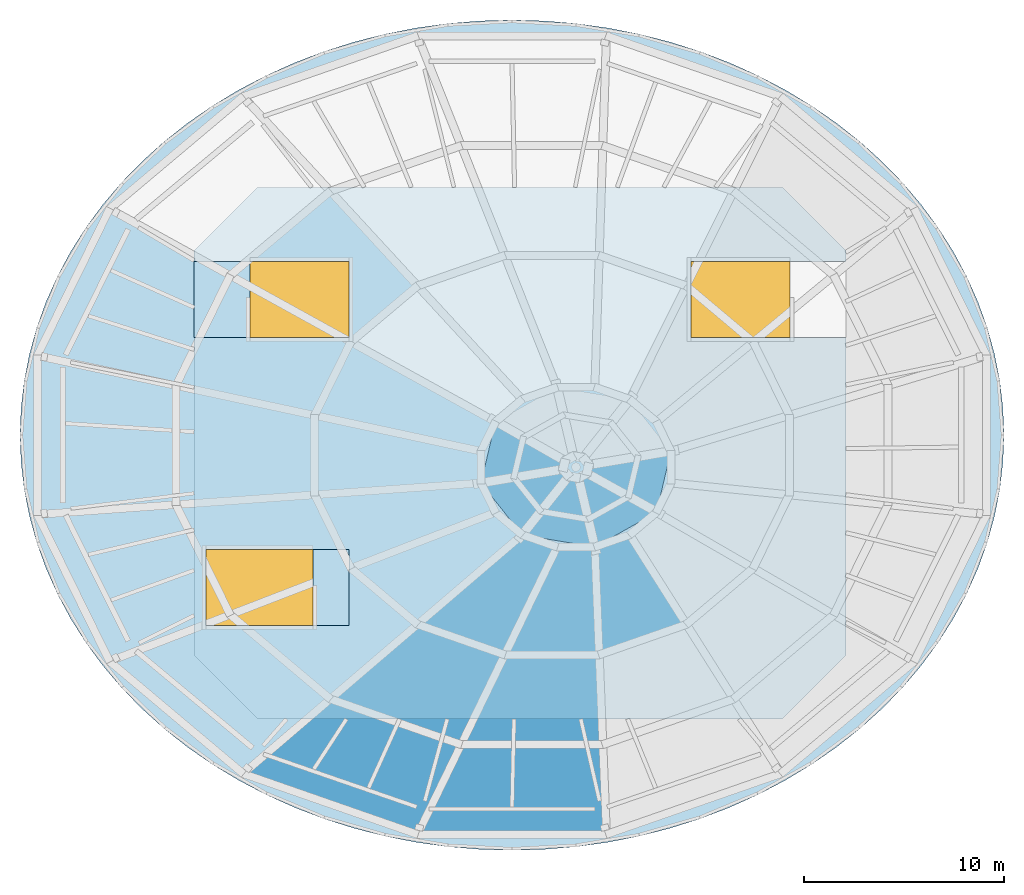
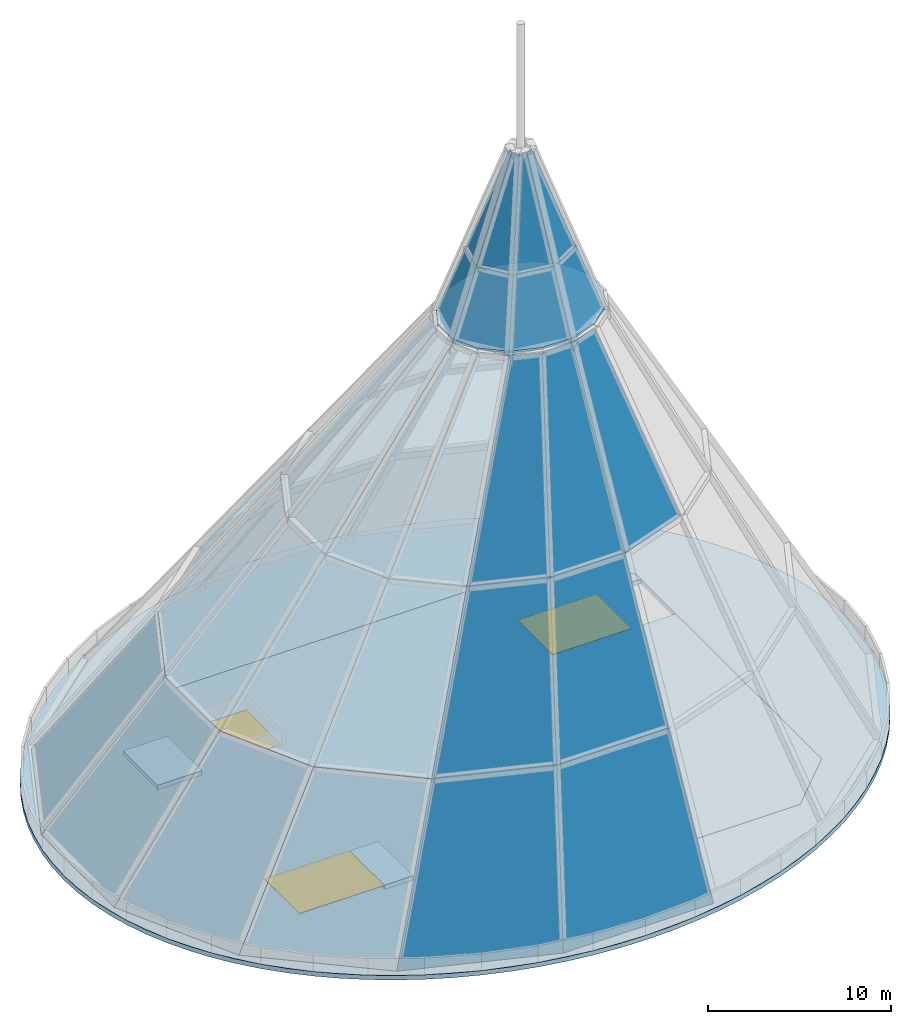
# One storey, part 4 of 7: 31 plates, 4 slabs, 3 doors, 3 openings, 13 elements without a shape of their own.
"""IFC4 building model written with IfcOpenShell, lengths in metres."""

from ifc_helpers import new_model, si_unit, direction, frame, origin, origin_2d, place, context, subcontext, project, spatial, polyline, rectangle, outline, extrude, material, layer, layer_set, type_object, element, fill, aggregate, save


model = new_model("IFC4")

# Units and contexts
model_context = context("Model", 3, precision=1e-05, world=origin(), true_north=direction((0.0, 1.0)))
body_context = subcontext(model_context, "Body", "Model", "MODEL_VIEW")
ifc_project = project(units=[si_unit("LENGTHUNIT", "METRE"), si_unit("AREAUNIT", "SQUARE_METRE"), si_unit("VOLUMEUNIT", "CUBIC_METRE"), si_unit("PLANEANGLEUNIT", "RADIAN"), si_unit("MASSUNIT", "GRAM", prefix="KILO")], contexts=[model_context])

# Site, building, storey
site_placement = place(None, origin())
site = spatial("IfcSite", under=ifc_project, at=site_placement, CompositionType="ELEMENT")
building_placement = place(site_placement, origin())
building = spatial("IfcBuilding", under=site, at=building_placement, Name="Marenthal Gate Tower", CompositionType="ELEMENT")
storey_placement = place(building_placement, frame((0.0, 0.0, 423.550048828125)))
storey = spatial("IfcBuildingStorey", under=building, at=storey_placement, Name="RF", CompositionType="ELEMENT", Elevation=423.550048828125)

# Slabs
ifc_material_1 = material(Name="Concrete 50 MPa", Category="concrete")
ifc_layer_1 = layer(ifc_material_1, 0.300048828125)
ifc_layer_set_1 = layer_set([ifc_layer_1], Name="Core roof slab 300")
slab_type_1 = type_object("IfcSlabType", Name="Core roof slab 300", PredefinedType="ROOF", material=ifc_layer_set_1)
slab_1_placement = place(storey_placement, frame((0.0, 0.0, -0.300048828125)))
element("IfcSlab", 1, at=slab_1_placement, inside=storey, type_object=slab_type_1, Name="Core roof RF", PredefinedType="ROOF", context=body_context, shape_type="SweptSolid", body=[
    extrude(outline(polyline([(-13.5, 9.574951171875), (-13.5, 5.77490234375), (-16.300048828125, 5.77490234375), (-16.300048828125, 9.574951171875), (-13.5, 9.574951171875)])), origin(), (0.0, 0.0, 1.0), 0.300048828125),
])
slab_2_placement = place(storey_placement, frame((0.0, 0.0, -0.300048828125)))
element("IfcSlab", 2, at=slab_2_placement, inside=storey, type_object=slab_type_1, Name="Core roof RF", PredefinedType="ROOF", context=body_context, shape_type="SweptSolid", body=[
    extrude(outline(polyline([(-10.35009765625, -8.625), (-10.35009765625, -4.824951171875), (-8.550048828125, -4.824951171875), (-8.550048828125, -8.625), (-10.35009765625, -8.625)])), origin(), (0.0, 0.0, 1.0), 0.300048828125),
])

# Slab, openings, doors
slab_3_placement = place(storey_placement, frame((0.0, 0.0, -0.300048828125)))
slab_3 = element("IfcSlab", 3, at=slab_3_placement, inside=storey, type_object=slab_type_1, Name="Core roof RF", PredefinedType="ROOF", context=body_context, shape_type="SweptSolid", body=[
    extrude(outline(polyline([(16.300048828125, -10.124267578125), (13.124267578125, -13.300048828125), (-13.124267578125, -13.300048828125), (-16.300048828125, -10.124267578125), (-16.300048828125, 5.77490234375), (-13.5, 5.77490234375), (-13.5, 9.574951171875), (-16.300048828125, 9.574951171875), (-16.300048828125, 10.124267578125), (-13.124267578125, 13.300048828125), (13.124267578125, 13.300048828125), (16.300048828125, 10.124267578125), (16.300048828125, 9.574951171875), (13.5, 9.574951171875), (13.5, 5.77490234375), (16.300048828125, 5.77490234375), (16.300048828125, -10.124267578125)]), holes=[polyline([(-10.35009765625, -8.625), (-8.550048828125, -8.625), (-8.550048828125, -4.824951171875), (-10.35009765625, -4.824951171875), (-10.35009765625, -8.625)])]), origin(), (0.0, 0.0, 1.0), 0.300048828125),
])
opening_1_placement = place(slab_3_placement, frame((-11.02490234375, 7.675048828125, 0.0)))
opening_1 = element("IfcOpeningElement", 4, at=opening_1_placement, cuts=slab_3, Name="Opening RH1", PredefinedType="OPENING", context=body_context, shape_type="SweptSolid", body=[
    extrude(rectangle(XDim=4.949951171875, YDim=3.800048828125, at=origin_2d()), origin(), (0.0, 0.0, 1.0), 0.300048828125),
])
opening_2_placement = place(slab_3_placement, frame((-13.02490234375, -6.72509765625, 0.0)))
opening_2 = element("IfcOpeningElement", 5, at=opening_2_placement, cuts=slab_3, Name="Opening RH2", PredefinedType="OPENING", context=body_context, shape_type="SweptSolid", body=[
    extrude(rectangle(XDim=5.35009765625, YDim=3.800048828125, at=origin_2d()), origin(), (0.0, 0.0, 1.0), 0.300048828125),
])
opening_3_placement = place(slab_3_placement, frame((11.02490234375, 7.675048828125, 0.0)))
opening_3 = element("IfcOpeningElement", 6, at=opening_3_placement, cuts=slab_3, Name="Opening RH3", PredefinedType="OPENING", context=body_context, shape_type="SweptSolid", body=[
    extrude(rectangle(XDim=4.949951171875, YDim=3.800048828125, at=origin_2d()), origin(), (0.0, 0.0, 1.0), 0.300048828125),
])
ifc_material_2 = material(Name="Galvanised steel and insulation", Category="steel")
door_type_1 = type_object("IfcDoorType", Name="Roof hatch 4950 x 3800", OperationType="NOTDEFINED", PredefinedType="TRAPDOOR", material=ifc_material_2)
door_1_placement = place(opening_1_placement, frame((0.0, 0.0, 0.25)))
door_1 = element("IfcDoor", 7, at=door_1_placement, inside=storey, type_object=door_type_1, Name="Roof hatch RH1", OperationType="SINGLE_SWING_LEFT", OverallHeight=3.800048828125, OverallWidth=4.949951171875, PredefinedType="TRAPDOOR", context=body_context, shape_type="SweptSolid", body=[
    extrude(rectangle(XDim=4.949951171875, YDim=3.800048828125, at=origin_2d()), origin(), (0.0, 0.0, 1.0), 0.050048828125),
])
fill(opening_1, door_1)
door_2_placement = place(opening_3_placement, frame((0.0, 0.0, 0.25)))
door_2 = element("IfcDoor", 8, at=door_2_placement, inside=storey, type_object=door_type_1, Name="Roof hatch RH3", OperationType="SINGLE_SWING_LEFT", OverallHeight=3.800048828125, OverallWidth=4.949951171875, PredefinedType="TRAPDOOR", context=body_context, shape_type="SweptSolid", body=[
    extrude(rectangle(XDim=4.949951171875, YDim=3.800048828125, at=origin_2d()), origin(), (0.0, 0.0, 1.0), 0.050048828125),
])
fill(opening_3, door_2)
ifc_material_3 = material(Name="Galvanised steel and insulation", Category="steel")
door_type_2 = type_object("IfcDoorType", Name="Roof hatch 5350 x 3800", OperationType="NOTDEFINED", PredefinedType="TRAPDOOR", material=ifc_material_3)
door_3_placement = place(opening_2_placement, frame((0.0, 0.0, 0.25)))
door_3 = element("IfcDoor", 9, at=door_3_placement, inside=storey, type_object=door_type_2, Name="Roof hatch RH2", OperationType="SINGLE_SWING_LEFT", OverallHeight=3.800048828125, OverallWidth=5.35009765625, PredefinedType="TRAPDOOR", context=body_context, shape_type="SweptSolid", body=[
    extrude(rectangle(XDim=5.35009765625, YDim=3.800048828125, at=origin_2d()), origin(), (0.0, 0.0, 1.0), 0.050048828125),
])
fill(opening_2, door_3)

# Plate
ifc_material_4 = material(Name="Steel S355", Category="steel")
ifc_layer_2 = layer(ifc_material_4, 0.1201171875)
ifc_layer_set_2 = layer_set([ifc_layer_2], Name="Crown cap plate 120")
plate_type_1 = type_object("IfcPlateType", Name="Crown cap plate 120", PredefinedType="SHEET", material=ifc_layer_set_2)
plate_1_placement = place(storey_placement, frame((0.0, 0.0, 29.0)))
element("IfcPlate", 10, at=plate_1_placement, inside=storey, type_object=plate_type_1, Name="Crown cap plate", PredefinedType="SHEET", context=body_context, shape_type="SweptSolid", body=[
    extrude(outline(polyline([(7.550048828125, 0.0947265625), (6.826904296875, 1.563232421875), (5.49072265625, 2.687255859375), (3.744873046875, 3.29541015625), (1.855224609375, 3.29541015625), (0.109375, 2.687255859375), (-1.226806640625, 1.563232421875), (-1.949951171875, 0.0947265625), (-1.949951171875, -1.494873046875), (-1.226806640625, -2.96337890625), (0.109375, -4.087158203125), (1.855224609375, -4.695556640625), (3.744873046875, -4.695556640625), (5.49072265625, -4.087158203125), (6.826904296875, -2.96337890625), (7.550048828125, -1.494873046875), (7.550048828125, 0.0947265625)])), origin(), (0.0, 0.0, 1.0), 0.119873046875),
])

# Curtain wall, plate
ifc_material_5 = material(Name="Aluminium and glass", Category="aluminium")
curtain_wall_type = type_object("IfcCurtainWallType", Name="Curtain wall crown facet", PredefinedType="NOTDEFINED", material=ifc_material_5)
curtain_wall_1_placement = place(storey_placement, origin())
curtain_wall_1 = element("IfcCurtainWall", 11, at=curtain_wall_1_placement, inside=storey, type_object=curtain_wall_type, Name="Crown facet 6", PredefinedType="NOTDEFINED")
ifc_material_6 = material(Name="Glass, laminated insulating unit", Category="glass")
ifc_layer_3 = layer(ifc_material_6, 0.028076171875)
ifc_layer_set_3 = layer_set([ifc_layer_3], Name="Glass facet panel 28")
plate_type_2 = type_object("IfcPlateType", Name="Glass facet panel 28", PredefinedType="CURTAIN_PANEL", material=ifc_layer_set_3)
plate_2_placement = place(storey_placement, frame((-9.47314453125, 13.082275390625, 8.9814453125), z_axis=(-0.523740494004, 0.622616466736, 0.581416056099), x_axis=(-0.765253884944, -0.64372858533, 2.699609e-06)))
plate_2 = element("IfcPlate", 12, at=plate_2_placement, type_object=plate_type_2, Name="Crown glass panel 6.2", PredefinedType="CURTAIN_PANEL", context=body_context, shape_type="SweptSolid", body=[
    extrude(outline(polyline([(0.0, 0.0), (6.547518500449467, 0.0), (4.07346167655767, 11.06184640788996), (-0.29149827030892334, 11.061882616343883), (0.0, 0.0)])), origin(), (0.0, 0.0, -1.0), 0.028076171875),
])
aggregate(curtain_wall_1, [plate_2])

# Curtain wall, plates
curtain_wall_2_placement = place(storey_placement, origin())
curtain_wall_2 = element("IfcCurtainWall", 13, at=curtain_wall_2_placement, inside=storey, type_object=curtain_wall_type, Name="Crown facet 7", PredefinedType="NOTDEFINED")
plate_3_placement = place(storey_placement, frame((-20.533935546875, 12.21630859375, 0.0), z_axis=(-0.712595816216, 0.350902429535, 0.607515174837), x_axis=(-0.441773107871, -0.897126814422, -2.781171e-06)))
plate_3 = element("IfcPlate", 14, at=plate_3_placement, type_object=plate_type_2, Name="Crown glass panel 7.1", PredefinedType="CURTAIN_PANEL", context=body_context, shape_type="SweptSolid", body=[
    extrude(outline(polyline([(0.0, 0.0), (8.18450895295395, 2.220446049250313e-16), (6.45945953045976, 11.330638940488292), (0.32118649940092325, 11.330588791043317), (0.0, 0.0)])), origin(), (0.0, 0.0, -1.0), 0.028076171875),
])
plate_4_placement = place(storey_placement, frame((-14.477783203125, 8.8759765625, 8.98046875), z_axis=(-0.71259067086, 0.350902521719, 0.607521156878), x_axis=(-0.441770333739, -0.897128180475, 5.139489e-06)))
plate_4 = element("IfcPlate", 15, at=plate_4_placement, type_object=plate_type_2, Name="Crown glass panel 7.2", PredefinedType="CURTAIN_PANEL", context=body_context, shape_type="SweptSolid", body=[
    extrude(outline(polyline([(0.0, 0.0), (6.138273031158399, 0.0), (4.413316180226825, 11.330653033735025), (0.3211712165709916, 11.330719228991814), (0.0, 0.0)])), origin(), (0.0, 0.0, -1.0), 0.028076171875),
])
plate_5_placement = place(storey_placement, frame((-8.467041015625, 5.55810546875, 18.0), z_axis=(-0.712590702566, 0.350913348542, 0.607514866017), x_axis=(-0.441786061464, -0.897120435556, -1.81697e-06)))
plate_5 = element("IfcPlate", 16, at=plate_5_placement, type_object=plate_type_2, Name="Crown glass panel 7.3", PredefinedType="CURTAIN_PANEL", context=body_context, shape_type="SweptSolid", body=[
    extrude(outline(polyline([(0.0, 0.0), (4.092144964502403, 3.3306690738754696e-16), (2.022129786337799, 13.596801643101823), (0.38522799582806966, 13.596788537980013), (0.0, 0.0)])), origin(), (0.0, 0.0, -1.0), 0.028076171875),
])
aggregate(curtain_wall_2, [plate_3, plate_4, plate_5])

curtain_wall_3_placement = place(storey_placement, origin())
curtain_wall_3 = element("IfcCurtainWall", 17, at=curtain_wall_3_placement, inside=storey, type_object=curtain_wall_type, Name="Crown facet 8", PredefinedType="NOTDEFINED")
plate_6_placement = place(storey_placement, frame((-24.149658203125, 4.873779296875, 0.0), z_axis=(-0.792010197197, 0.0, 0.610507860339), x_axis=(0.0, -1.0, 0.0)))
plate_6 = element("IfcPlate", 18, at=plate_6_placement, type_object=plate_type_2, Name="Crown glass panel 8.1", PredefinedType="CURTAIN_PANEL", context=body_context, shape_type="SweptSolid", body=[
    extrude(outline(polyline([(0.0, 0.0), (7.947509765625, 0.0), (7.4541015625, 11.36349005587632), (1.493408203125, 11.36349005587632), (0.0, 0.0)])), origin(), (0.0, 0.0, -1.0), 0.028076171875),
])
plate_7_placement = place(storey_placement, frame((-17.18701171875, 3.38037109375, 8.98046875), z_axis=(-0.792010197197, 0.0, 0.610507860339), x_axis=(0.0, -1.0, 0.0)))
plate_7 = element("IfcPlate", 19, at=plate_7_placement, type_object=plate_type_2, Name="Crown glass panel 8.2", PredefinedType="CURTAIN_PANEL", context=body_context, shape_type="SweptSolid", body=[
    extrude(outline(polyline([(0.0, 0.0), (5.960693359375, 0.0), (5.46728515625, 11.36349005587632), (1.493408203125, 11.36349005587632), (0.0, 0.0)])), origin(), (0.0, 0.0, -1.0), 0.028076171875),
])
plate_8_placement = place(storey_placement, frame((-10.27490234375, 1.886962890625, 18.0), z_axis=(-0.792013263218, 0.0, 0.610503882778), x_axis=(0.0, -1.0, 0.0)))
plate_8 = element("IfcPlate", 20, at=plate_8_placement, type_object=plate_type_2, Name="Crown glass panel 8.3", PredefinedType="CURTAIN_PANEL", context=body_context, shape_type="SweptSolid", body=[
    extrude(outline(polyline([(0.0, 0.0), (3.973876953125, 0.0), (3.3818359375, 13.636196929642338), (1.792236328125, 13.636196929642338), (0.0, 0.0)])), origin(), (0.0, 0.0, -1.0), 0.028076171875),
])
aggregate(curtain_wall_3, [plate_6, plate_7, plate_8])

curtain_wall_4_placement = place(storey_placement, origin())
curtain_wall_4 = element("IfcCurtainWall", 21, at=curtain_wall_4_placement, inside=storey, type_object=curtain_wall_type, Name="Crown facet 9", PredefinedType="NOTDEFINED")
plate_9_placement = place(storey_placement, frame((-24.149658203125, -3.07373046875, 0.0), z_axis=(-0.72952177896, -0.359223603923, 0.582027814118), x_axis=(0.441760012351, -0.897133262941, 3.618676e-06)))
plate_9 = element("IfcPlate", 22, at=plate_9_placement, type_object=plate_type_2, Name="Crown glass panel 9.1", PredefinedType="CURTAIN_PANEL", context=body_context, shape_type="SweptSolid", body=[
    extrude(outline(polyline([(0.0, 0.0), (8.184727978301149, -4.440892098500626e-16), (8.760581800484376, 11.06777269229926), (2.6220897425412715, 11.067836431949173), (0.0, 0.0)])), origin(), (0.0, 0.0, -1.0), 0.028076171875),
])
plate_10_placement = place(storey_placement, frame((-17.18896484375, -2.56884765625, 8.9814453125), z_axis=(-0.729515241119, -0.359246572827, 0.582021831968), x_axis=(0.441787913279, -0.897119523607, 6.703885e-06)))
plate_10 = element("IfcPlate", 23, at=plate_10_placement, type_object=plate_type_2, Name="Crown glass panel 9.2", PredefinedType="CURTAIN_PANEL", context=body_context, shape_type="SweptSolid", body=[
    extrude(outline(polyline([(0.0, 0.0), (6.1383808874920565, 0.0), (6.714681838955184, 11.067698044618119), (2.62231785120544, 11.067782387956555), (0.0, 0.0)])), origin(), (0.0, 0.0, -1.0), 0.028076171875),
])
plate_11_placement = place(storey_placement, frame((-10.27490234375, -2.0869140625, 18.0), z_axis=(-0.729519141717, -0.359232648182, 0.582025537541), x_axis=(0.441766781515, -0.897129929691, -1.781909e-06)))
plate_11 = element("IfcPlate", 24, at=plate_11_placement, type_object=plate_type_2, Name="Crown glass panel 9.3", PredefinedType="CURTAIN_PANEL", context=body_context, shape_type="SweptSolid", body=[
    extrude(outline(polyline([(0.0, 0.0), (4.092363989210491, -2.220446049250313e-16), (4.783431716548086, 13.281417928001694), (3.146529926036238, 13.281405373399714), (0.0, 0.0)])), origin(), (0.0, 0.0, -1.0), 0.028076171875),
])
aggregate(curtain_wall_4, [plate_9, plate_10, plate_11])

curtain_wall_5_placement = place(storey_placement, origin())
curtain_wall_5 = element("IfcCurtainWall", 25, at=curtain_wall_5_placement, inside=storey, type_object=curtain_wall_type, Name="Crown facet 10", PredefinedType="NOTDEFINED")
plate_12_placement = place(storey_placement, frame((-20.533935546875, -10.41650390625, 0.0), z_axis=(-0.54474227298, -0.647613393346, 0.532778329878), x_axis=(0.765270592175, -0.643708723531, 1.597389e-06)))
plate_12 = element("IfcPlate", 26, at=plate_12_placement, type_object=plate_type_2, Name="Crown glass panel 10.1", PredefinedType="CURTAIN_PANEL", context=body_context, shape_type="SweptSolid", body=[
    extrude(outline(polyline([(0.0, 0.0), (8.730106726830915, 4.440892098500626e-16), (9.665676475812216, 10.635076047643722), (3.1179711445538216, 10.635104886016048), (0.0, 0.0)])), origin(), (0.0, 0.0, -1.0), 0.028076171875),
])
plate_13_placement = place(storey_placement, frame((-14.483154296875, -8.066650390625, 8.98291015625), z_axis=(-0.54474268359, -0.647602552215, 0.532791087614), x_axis=(0.765265108981, -0.643715242147, 1.755678e-06)))
plate_13 = element("IfcPlate", 27, at=plate_13_placement, type_object=plate_type_2, Name="Crown glass panel 10.2", PredefinedType="CURTAIN_PANEL", context=body_context, shape_type="SweptSolid", body=[
    extrude(outline(polyline([(0.0, 0.0), (6.547705331338667, 2.220446049250313e-16), (7.483071083388673, 10.635179709387362), (3.1181111363780727, 10.635202349510072), (0.0, 0.0)])), origin(), (0.0, 0.0, -1.0), 0.028076171875),
])
plate_14_placement = place(storey_placement, frame((-8.467041015625, -5.75830078125, 18.0), z_axis=(-0.544719842861, -0.64763240503, 0.532778153408), x_axis=(0.765289898045, -0.643685771099, -5.951848e-06)))
plate_14 = element("IfcPlate", 28, at=plate_14_placement, type_object=plate_type_2, Name="Crown glass panel 10.3", PredefinedType="CURTAIN_PANEL", context=body_context, shape_type="SweptSolid", body=[
    extrude(outline(polyline([(0.0, 0.0), (4.365146780889641, 2.220446049250313e-16), (5.487689558918734, 12.7622077707703), (3.7417625041415565, 12.762164790598487), (0.0, 0.0)])), origin(), (0.0, 0.0, -1.0), 0.028076171875),
])
aggregate(curtain_wall_5, [plate_12, plate_13, plate_14])

curtain_wall_6_placement = place(storey_placement, origin())
curtain_wall_6 = element("IfcCurtainWall", 29, at=curtain_wall_6_placement, inside=storey, type_object=curtain_wall_type, Name="Crown facet 11", PredefinedType="NOTDEFINED")
plate_15_placement = place(storey_placement, frame((-13.85302734375, -16.0361328125, 0.0), z_axis=(-0.288143701912, -0.826974142697, 0.482790818428), x_axis=(0.944318960383, -0.32903145907, -1.963074e-06)))
plate_15 = element("IfcPlate", 30, at=plate_15_placement, type_object=plate_type_2, Name="Crown glass panel 11.1", PredefinedType="CURTAIN_PANEL", context=body_context, shape_type="SweptSolid", body=[
    extrude(outline(polyline([(0.0, 0.0), (9.243714361967761, -2.220446049250313e-16), (9.824375684315456, 10.277095282192178), (2.8917453511232583, 10.277059020843634), (0.0, 0.0)])), origin(), (0.0, 0.0, -1.0), 0.028076171875),
])
plate_16_placement = place(storey_placement, frame((-9.480712890625, -12.275634765625, 8.984619140625), z_axis=(-0.288120592195, -0.826984370109, 0.482787091737), x_axis=(0.944327937327, -0.329005694119, -4.64425e-06)))
plate_16 = element("IfcPlate", 31, at=plate_16_placement, type_object=plate_type_2, Name="Crown glass panel 11.2", PredefinedType="CURTAIN_PANEL", context=body_context, shape_type="SweptSolid", body=[
    extrude(outline(polyline([(0.0, 0.0), (6.932860880738938, 2.220446049250313e-16), (7.513633447990606, 10.277088996044554), (2.8918565928727826, 10.277027718989066), (0.0, 0.0)])), origin(), (0.0, 0.0, -1.0), 0.028076171875),
])
plate_17_placement = place(storey_placement, frame((-5.12646484375, -8.568115234375, 18.0), z_axis=(-0.288155371529, -0.826963953518, 0.482801306379), x_axis=(0.944314818982, -0.3290433446, 4.975908e-06)))
plate_17 = element("IfcPlate", 32, at=plate_17_placement, type_object=plate_type_2, Name="Crown glass panel 11.3", PredefinedType="CURTAIN_PANEL", context=body_context, shape_type="SweptSolid", body=[
    extrude(outline(polyline([(0.0, 0.0), (4.621857180776621, -1.1102230246251565e-16), (5.318726920313304, 12.332594873704505), (3.4699058057415133, 12.332631640173371), (0.0, 0.0)])), origin(), (0.0, 0.0, -1.0), 0.028076171875),
])
aggregate(curtain_wall_6, [plate_15, plate_16, plate_17])

curtain_wall_7_placement = place(storey_placement, origin())
curtain_wall_7 = element("IfcCurtainWall", 33, at=curtain_wall_7_placement, inside=storey, type_object=curtain_wall_type, Name="Crown facet 12", PredefinedType="NOTDEFINED")
plate_18_placement = place(storey_placement, frame((-5.1240234375, -19.07763671875, 0.0), z_axis=(0.0, -0.894650353814, 0.446766991194), x_axis=(1.0, 0.0, 0.0)))
plate_18 = element("IfcPlate", 34, at=plate_18_placement, type_object=plate_type_2, Name="Crown glass panel 12.1", PredefinedType="CURTAIN_PANEL", context=body_context, shape_type="SweptSolid", body=[
    extrude(outline(polyline([(0.0, 0.0), (9.4482421875, 0.0), (9.26708984375, 10.059795943332157), (2.180908203125, 10.059795943332157), (0.0, 0.0)])), origin(), (0.0, 0.0, -1.0), 0.028076171875),
])
plate_19_placement = place(storey_placement, frame((-2.943115234375, -14.5546875, 8.985595703125), z_axis=(0.0, -0.894640653405, 0.446786415723), x_axis=(1.0, 0.0, 0.0)))
plate_19 = element("IfcPlate", 35, at=plate_19_placement, type_object=plate_type_2, Name="Crown glass panel 12.2", PredefinedType="CURTAIN_PANEL", context=body_context, shape_type="SweptSolid", body=[
    extrude(outline(polyline([(0.0, 0.0), (7.086181640625, 0.0), (6.9052734375, 10.059905019675785), (2.18115234375, 10.059905019675785), (0.0, 0.0)])), origin(), (0.0, 0.0, -1.0), 0.028076171875),
])
plate_20_placement = place(storey_placement, frame((-0.761962890625, -10.0888671875, 18.0), z_axis=(0.0, -0.89464954445, 0.446768611941), x_axis=(1.0, 0.0, 0.0)))
plate_20 = element("IfcPlate", 36, at=plate_20_placement, type_object=plate_type_2, Name="Crown glass panel 12.3", PredefinedType="CURTAIN_PANEL", context=body_context, shape_type="SweptSolid", body=[
    extrude(outline(polyline([(0.0, 0.0), (4.72412109375, 0.0), (4.5068359375, 12.071820630912194), (2.6171875, 12.071820630912194), (0.0, 0.0)])), origin(), (0.0, 0.0, -1.0), 0.028076171875),
])
aggregate(curtain_wall_7, [plate_18, plate_19, plate_20])

# Curtain wall, plate
curtain_wall_8_placement = place(storey_placement, origin())
curtain_wall_8 = element("IfcCurtainWall", 37, at=curtain_wall_8_placement, inside=storey, type_object=curtain_wall_type, Name="Crown facet 13", PredefinedType="NOTDEFINED")
plate_21_placement = place(storey_placement, frame((3.962158203125, -10.0888671875, 18.0), z_axis=(0.296851208452, -0.85191973915, 0.43140713727), x_axis=(0.944314637036, 0.329043866768, -4.580399e-06)))
plate_21 = element("IfcPlate", 38, at=plate_21_placement, type_object=plate_type_2, Name="Crown glass panel 13.3", PredefinedType="CURTAIN_PANEL", context=body_context, shape_type="SweptSolid", body=[
    extrude(outline(polyline([(0.0, 0.0), (4.621857180761581, 0.0), (3.4182218496449503, 11.971375614229926), (1.5694007350370678, 11.971342761549387), (0.0, 0.0)])), origin(), (0.0, 0.0, -1.0), 0.028076171875),
])
aggregate(curtain_wall_8, [plate_21])

# Curtain wall, plates
curtain_wall_9_placement = place(storey_placement, origin())
curtain_wall_9 = element("IfcCurtainWall", 39, at=curtain_wall_9_placement, inside=storey, type_object=curtain_wall_type, Name="Crown pinnacle facet 4", PredefinedType="NOTDEFINED")
plate_22_placement = place(storey_placement, frame((-1.226806640625, 1.563232421875, 28.800048828125), z_axis=(-0.917108721327, 0.216860489709, 0.334489344028), x_axis=(-0.230115966726, -0.973163214396, -2.118935e-06)))
plate_22 = element("IfcPlate", 40, at=plate_22_placement, type_object=plate_type_2, Name="Crown pinnacle glass panel 4.1", PredefinedType="CURTAIN_PANEL", context=body_context, shape_type="SweptSolid", body=[
    extrude(outline(polyline([(0.0, 0.0), (3.1424428508215003, 0.0), (2.4964630673789796, 4.5924111804801315), (0.44131470803349937, 4.592399493975689), (0.0, 0.0)])), origin(), (0.0, 0.0, -1.0), 0.028076171875),
])
plate_23_placement = place(storey_placement, frame((0.19580078125, 0.773193359375, 33.1171875), z_axis=(-0.917105638602, 0.216864907155, 0.334494932231), x_axis=(-0.230118708799, -0.973162565986, 4.915267e-06)))
plate_23 = element("IfcPlate", 41, at=plate_23_placement, type_object=plate_type_2, Name="Crown pinnacle glass panel 4.2", PredefinedType="CURTAIN_PANEL", context=body_context, shape_type="SweptSolid", body=[
    extrude(outline(polyline([(0.0, 0.0), (2.0551483592532347, -5.551115123125783e-17), (1.0863366512216501, 6.888746715118239), (0.6621019386723377, 6.8887596468479035), (0.0, 0.0)])), origin(), (0.0, 0.0, -1.0), 0.028076171875),
])
aggregate(curtain_wall_9, [plate_22, plate_23])

curtain_wall_10_placement = place(storey_placement, origin())
curtain_wall_10 = element("IfcCurtainWall", 42, at=curtain_wall_10_placement, inside=storey, type_object=curtain_wall_type, Name="Crown pinnacle facet 5", PredefinedType="NOTDEFINED")
plate_24_placement = place(storey_placement, frame((-1.949951171875, -1.494873046875, 28.800048828125), z_axis=(-0.742051585756, -0.58944153464, 0.319246176669), x_axis=(0.621992289232, -0.783023366183, 1.212209e-05)))
plate_24 = element("IfcPlate", 43, at=plate_24_placement, type_object=plate_type_2, Name="Crown pinnacle glass panel 5.1", PredefinedType="CURTAIN_PANEL", context=body_context, shape_type="SweptSolid", body=[
    extrude(outline(polyline([(0.0, 0.0), (3.310704849073721, 1.1102230246251565e-16), (2.9721695291153662, 4.566818110298725), (0.8068846791284102, 4.566888156107646), (0.0, 0.0)])), origin(), (0.0, 0.0, -1.0), 0.028076171875),
])
plate_25_placement = place(storey_placement, frame((-0.28271484375, -1.200927734375, 33.11767578125), z_axis=(-0.741973536683, -0.58953991407, 0.319245924923), x_axis=(0.622090026406, -0.78294571902, -1.0696721e-05)))
plate_25 = element("IfcPlate", 44, at=plate_25_placement, type_object=plate_type_2, Name="Crown pinnacle glass panel 5.2", PredefinedType="CURTAIN_PANEL", context=body_context, shape_type="SweptSolid", body=[
    extrude(outline(polyline([(0.0, 0.0), (2.165245544081265, 0.0), (1.6574521827186544, 6.850431098806167), (1.210547457271362, 6.850401614505087), (0.0, 0.0)])), origin(), (0.0, 0.0, -1.0), 0.028076171875),
])
aggregate(curtain_wall_10, [plate_24, plate_25])

curtain_wall_11_placement = place(storey_placement, origin())
curtain_wall_11 = element("IfcCurtainWall", 45, at=curtain_wall_11_placement, inside=storey, type_object=curtain_wall_type, Name="Crown pinnacle facet 6", PredefinedType="NOTDEFINED")
plate_26_placement = place(storey_placement, frame((0.109375, -4.087158203125, 28.800048828125), z_axis=(-0.157949961046, -0.944020271917, 0.289616187418), x_axis=(0.986289382198, -0.165025011691, -8.932204e-06)))
plate_26 = element("IfcPlate", 46, at=plate_26_placement, type_object=plate_type_2, Name="Crown pinnacle glass panel 6.1", PredefinedType="CURTAIN_PANEL", context=body_context, shape_type="SweptSolid", body=[
    extrude(outline(polyline([(0.0, 0.0), (3.686054081895766, 2.7755575615628914e-17), (3.1354348277102693, 4.521695793018474), (0.7247175334545565, 4.5216388970145), (0.0, 0.0)])), origin(), (0.0, 0.0, -1.0), 0.028076171875),
])
plate_27_placement = place(storey_placement, frame((1.04541015625, -2.885009765625, 33.11865234375), z_axis=(-0.157900337872, -0.944027058178, 0.289621126176), x_axis=(0.986298185066, -0.164972391948, -5.473311e-06)))
plate_27 = element("IfcPlate", 47, at=plate_27_placement, type_object=plate_type_2, Name="Crown pinnacle glass panel 6.2", PredefinedType="CURTAIN_PANEL", context=body_context, shape_type="SweptSolid", body=[
    extrude(outline(polyline([(0.0, 0.0), (2.4104765021138994, 0.0), (1.5848154196864181, 6.782646987399274), (1.0872836629291647, 6.782630358264423), (0.0, 0.0)])), origin(), (0.0, 0.0, -1.0), 0.028076171875),
])
aggregate(curtain_wall_11, [plate_26, plate_27])

curtain_wall_12_placement = place(storey_placement, origin())
curtain_wall_12 = element("IfcCurtainWall", 48, at=curtain_wall_12_placement, inside=storey, type_object=curtain_wall_type, Name="Crown pinnacle facet 7", PredefinedType="NOTDEFINED")
plate_28_placement = place(storey_placement, frame((3.744873046875, -4.695556640625, 28.800048828125), z_axis=(0.467241969023, -0.831360231205, 0.300873907733), x_axis=(0.871753757129, 0.489944269209, 7.94165e-07)))
plate_28 = element("IfcPlate", 49, at=plate_28_placement, type_object=plate_type_2, Name="Crown pinnacle glass panel 7.1", PredefinedType="CURTAIN_PANEL", context=body_context, shape_type="SweptSolid", body=[
    extrude(outline(polyline([(0.0, 0.0), (3.5354428759851273, 1.1102230246251565e-16), (2.704548491671309, 4.538159171956846), (0.39240483249473174, 4.538164041542837), (0.0, 0.0)])), origin(), (0.0, 0.0, -1.0), 0.028076171875),
])
plate_29_placement = place(storey_placement, frame((3.40283203125, -3.286376953125, 33.118408203125), z_axis=(0.46726209236, -0.831355919955, 0.300854568519), x_axis=(0.871744883759, 0.489960057136, -7.127525e-06)))
plate_29 = element("IfcPlate", 50, at=plate_29_placement, type_object=plate_type_2, Name="Crown pinnacle glass panel 7.2", PredefinedType="CURTAIN_PANEL", context=body_context, shape_type="SweptSolid", body=[
    extrude(outline(polyline([(0.0, 0.0), (2.31214365855168, 5.551115123125783e-17), (1.0658941619526574, 6.807334553534546), (0.5886395192128852, 6.807313706169801), (0.0, 0.0)])), origin(), (0.0, 0.0, -1.0), 0.028076171875),
])
aggregate(curtain_wall_12, [plate_28, plate_29])

curtain_wall_13_placement = place(storey_placement, origin())
curtain_wall_13 = element("IfcCurtainWall", 51, at=curtain_wall_13_placement, inside=storey, type_object=curtain_wall_type, Name="Crown pinnacle facet 8", PredefinedType="NOTDEFINED")
plate_30_placement = place(storey_placement, frame((6.826904296875, -2.96337890625, 28.800048828125), z_axis=(0.917104968543, -0.216859602321, 0.334500208601), x_axis=(0.230115966774, 0.973163214385, -2.118995e-06)))
plate_30 = element("IfcPlate", 52, at=plate_30_placement, type_object=plate_type_2, Name="Crown pinnacle glass panel 8.1", PredefinedType="CURTAIN_PANEL", context=body_context, shape_type="SweptSolid", body=[
    extrude(outline(polyline([(0.0, 0.0), (3.1424428508215008, 2.7755575615628914e-17), (2.496700655718975, 4.592429973272848), (0.44155229637349547, 4.592418286388815), (0.0, 0.0)])), origin(), (0.0, 0.0, -1.0), 0.028076171875),
])
plate_31_placement = place(storey_placement, frame((5.404052734375, -2.173095703125, 33.1171875), z_axis=(0.917125045279, -0.216798634464, 0.334484683382), x_axis=(0.230058441093, 0.973176814852, -2.6768497e-05)))
plate_31 = element("IfcPlate", 53, at=plate_31_placement, type_object=plate_type_2, Name="Crown pinnacle glass panel 8.2", PredefinedType="CURTAIN_PANEL", context=body_context, shape_type="SweptSolid", body=[
    extrude(outline(polyline([(0.0, 0.0), (2.0549107643674622, 0.0), (1.0862736599862073, 6.88875664836986), (0.6620951170392628, 6.88868623091302), (0.0, 0.0)])), origin(), (0.0, 0.0, -1.0), 0.028076171875),
])
aggregate(curtain_wall_13, [plate_30, plate_31])

# Slab
ifc_material_7 = material(Name="Concrete 35 MPa", Category="concrete")
ifc_layer_4 = layer(ifc_material_7, 0.300048828125)
ifc_layer_set_4 = layer_set([ifc_layer_4], Name="Roof slab 300")
slab_type_2 = type_object("IfcSlabType", Name="Roof slab 300", PredefinedType="ROOF", material=ifc_layer_set_4)
slab_4_placement = place(storey_placement, frame((0.0, 0.0, -0.300048828125)))
element("IfcSlab", 54, at=slab_4_placement, inside=storey, type_object=slab_type_2, Name="SL-RF-01", PredefinedType="ROOF", context=body_context, shape_type="SweptSolid", body=[
    extrude(outline(polyline([(24.215087890625, 0.89990234375), (24.162353515625, 2.25830078125), (24.00439453125, 3.61083984375), (23.741943359375, 4.951904296875), (23.376220703125, 6.275390625), (22.90869140625, 7.575927734375), (22.34130859375, 8.847900390625), (21.676513671875, 10.0859375), (20.917236328125, 11.284423828125), (20.066650390625, 12.438720703125), (19.12841796875, 13.54345703125), (18.1064453125, 14.593994140625), (17.00537109375, 15.5859375), (15.829833984375, 16.514892578125), (14.584716796875, 17.377197265625), (13.275390625, 18.168701171875), (11.907470703125, 18.886474609375), (10.48681640625, 19.527099609375), (9.019775390625, 20.088134765625), (7.51220703125, 20.56689453125), (5.970703125, 20.961181640625), (4.402099609375, 21.27001953125), (2.81298828125, 21.4912109375), (1.2099609375, 21.62451171875), (-0.39990234375, 21.6689453125), (-2.010009765625, 21.62451171875), (-3.61279296875, 21.4912109375), (-5.2021484375, 21.27001953125), (-6.770751953125, 20.961181640625), (-8.312255859375, 20.56689453125), (-9.81982421875, 20.088134765625), (-11.286865234375, 19.527099609375), (-12.70751953125, 18.886474609375), (-14.075439453125, 18.168701171875), (-15.384765625, 17.377197265625), (-16.6298828125, 16.514892578125), (-17.805419921875, 15.5859375), (-18.906494140625, 14.593994140625), (-19.928466796875, 13.54345703125), (-20.86669921875, 12.438720703125), (-21.71728515625, 11.284423828125), (-22.4765625, 10.0859375), (-23.141357421875, 8.847900390625), (-23.708740234375, 7.575927734375), (-24.17626953125, 6.275390625), (-24.5419921875, 4.951904296875), (-24.804443359375, 3.61083984375), (-24.96240234375, 2.25830078125), (-25.014892578125, 0.89990234375), (-24.96240234375, -0.45849609375), (-24.804443359375, -1.810791015625), (-24.5419921875, -3.15185546875), (-24.17626953125, -4.475341796875), (-23.708740234375, -5.77587890625), (-23.141357421875, -7.048095703125), (-22.4765625, -8.285888671875), (-21.71728515625, -9.484619140625), (-20.86669921875, -10.638671875), (-19.928466796875, -11.743408203125), (-18.906494140625, -12.7939453125), (-17.805419921875, -13.785888671875), (-16.6298828125, -14.715087890625), (-15.384765625, -15.5771484375), (-14.075439453125, -16.368896484375), (-12.70751953125, -17.08642578125), (-11.286865234375, -17.72705078125), (-9.81982421875, -18.2880859375), (-8.312255859375, -18.766845703125), (-6.770751953125, -19.161376953125), (-5.2021484375, -19.469970703125), (-3.61279296875, -19.69140625), (-2.010009765625, -19.824462890625), (-0.39990234375, -19.868896484375), (1.2099609375, -19.824462890625), (2.81298828125, -19.69140625), (4.402099609375, -19.469970703125), (5.970703125, -19.161376953125), (7.51220703125, -18.766845703125), (9.019775390625, -18.2880859375), (10.48681640625, -17.72705078125), (11.907470703125, -17.08642578125), (13.275390625, -16.368896484375), (14.584716796875, -15.5771484375), (15.829833984375, -14.715087890625), (17.00537109375, -13.785888671875), (18.1064453125, -12.7939453125), (19.12841796875, -11.743408203125), (20.066650390625, -10.638671875), (20.917236328125, -9.484619140625), (21.676513671875, -8.285888671875), (22.34130859375, -7.048095703125), (22.90869140625, -5.77587890625), (23.376220703125, -4.475341796875), (23.741943359375, -3.15185546875), (24.00439453125, -1.810791015625), (24.162353515625, -0.45849609375), (24.215087890625, 0.89990234375)]), holes=[polyline([(13.124267578125, -13.300048828125), (16.300048828125, -10.124267578125), (16.300048828125, 10.124267578125), (13.124267578125, 13.300048828125), (-13.124267578125, 13.300048828125), (-16.300048828125, 10.124267578125), (-16.300048828125, -10.124267578125), (-13.124267578125, -13.300048828125), (13.124267578125, -13.300048828125)])]), origin(), (0.0, 0.0, 1.0), 0.300048828125),
])

save(model, "model.ifc")
